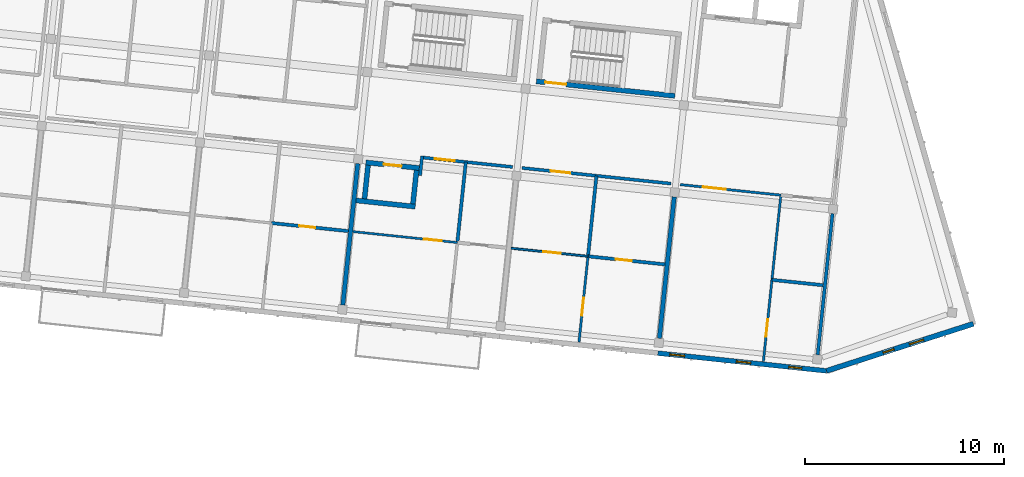
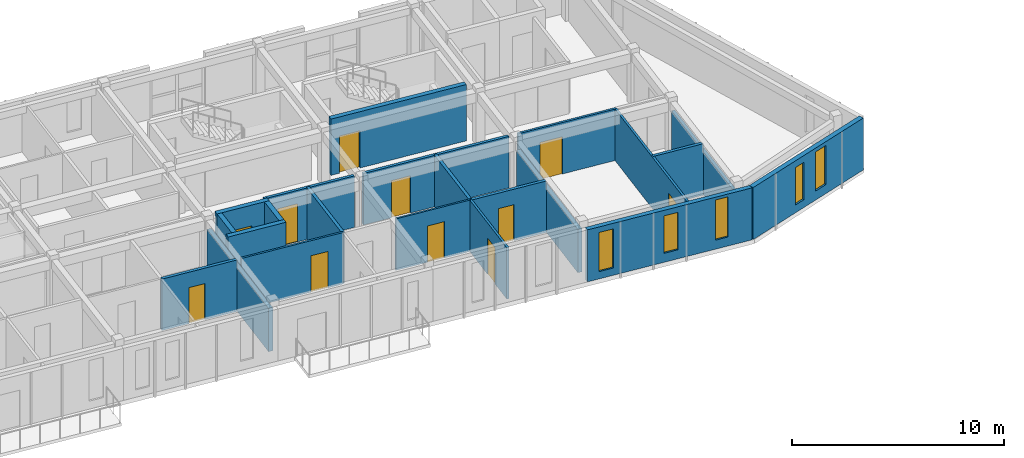
# One storey, part 26 of 45: 23 walls, 11 doors, 5 windows, 16 openings.
"""IFC4 building model written with IfcOpenShell, lengths in metres."""

from ifc_helpers import new_model, si_unit, direction, frame, frame_2d, origin, place, context, subcontext, project, spatial, rectangle, extrude, material, layer, layer_set, type_object, element, fill, save


model = new_model("IFC4")

# Units and contexts
model_context = context("Model", 3, precision=1e-05, world=origin(), true_north=direction((0.0, 1.0)))
body_context = subcontext(model_context, "Body", "Model", "MODEL_VIEW")
ifc_project = project(units=[si_unit("LENGTHUNIT", "METRE"), si_unit("AREAUNIT", "SQUARE_METRE"), si_unit("VOLUMEUNIT", "CUBIC_METRE"), si_unit("PLANEANGLEUNIT", "RADIAN"), si_unit("MASSUNIT", "GRAM", prefix="KILO")], contexts=[model_context])

# Site, building, storey
site_placement = place(None, origin())
site = spatial("IfcSite", under=ifc_project, at=site_placement, CompositionType="ELEMENT")
building_placement = place(site_placement, origin())
building = spatial("IfcBuilding", under=site, at=building_placement, Name="Kestramere Prow Commons", CompositionType="ELEMENT")
storey_placement = place(building_placement, frame((0.0, 0.0, 31.14990234375)))
storey = spatial("IfcBuildingStorey", under=building, at=storey_placement, Name="L09", CompositionType="ELEMENT", Elevation=31.14990234375)

# Wall, openings, windows
ifc_material_1 = material(Name="Weathered Zinc-Titanium Standing-Seam Cladding")
ifc_layer_1 = layer(ifc_material_1, 0.260009765625)
ifc_layer_set_1 = layer_set([ifc_layer_1], Name="Weathered Zinc-Titanium Standing-Seam Cladding")
wall_type_1 = type_object("IfcWallType", Name="EW-PROW-260", PredefinedType="SOLIDWALL", material=ifc_layer_set_1)
wall_1_placement = place(storey_placement, frame((165.587158203125, 91.57177734375, 0.0), z_axis=(0.0, 0.0, 1.0), x_axis=(-0.9522851043, -0.305209895201, 0.0)))
wall_1 = element("IfcWall", 1, at=wall_1_placement, inside=storey, type_object=wall_type_1, Name="Block B L09 PRW-S Facet Wall", PredefinedType="SOLIDWALL", context=body_context, shape_type="SweptSolid", body=[
    extrude(rectangle(XDim=7.752685546875, YDim=0.260009765625, at=frame_2d((3.87646484375, 0.0))), origin(), (0.0, 0.0, 1.0), 3.0),
])
opening_1_placement = place(wall_1_placement, frame((2.6298828125, 0.0, 0.52001953125)))
opening_1 = element("IfcOpeningElement", 2, at=opening_1_placement, cuts=wall_1, Name="Opening WN-09", PredefinedType="OPENING", context=body_context, shape_type="SweptSolid", body=[
    extrude(rectangle(XDim=0.739990234375, YDim=2.260009765625, at=frame_2d((0.3701171875, 1.1298828125))), frame((0.0, 0.14501953125, 0.0), z_axis=(0.0, -1.0, 0.0), x_axis=(1.0, 0.0, 0.0)), (0.0, 0.0, 1.0), 0.2900390625),
])
opening_2_placement = place(wall_1_placement, frame((4.1826171875, 0.0, 0.449951171875)))
opening_2 = element("IfcOpeningElement", 3, at=opening_2_placement, cuts=wall_1, Name="Opening WN-01", PredefinedType="OPENING", context=body_context, shape_type="SweptSolid", body=[
    extrude(rectangle(XDim=0.580078125, YDim=2.159912109375, at=frame_2d((0.2900390625, 1.080078125))), frame((0.0, 0.14501953125, 0.0), z_axis=(0.0, -1.0, 0.0), x_axis=(1.0, 0.0, 0.0)), (0.0, 0.0, 1.0), 0.2900390625),
])
ifc_material_2 = material(Name="Low-E Laminated Double Glazing", Category="glass")
window_type_1 = type_object("IfcWindowType", Name="WN-NAR-580A", PartitioningType="SINGLE_PANEL", PredefinedType="WINDOW", material=ifc_material_2)
window_1_placement = place(opening_2_placement, origin())
window_1 = element("IfcWindow", 4, at=window_1_placement, inside=storey, type_object=window_type_1, Name="WN-B-L09-PRW-S-1", OverallHeight=2.159912109375, OverallWidth=0.580078125, PartitioningType="SINGLE_PANEL", PredefinedType="WINDOW", context=body_context, shape_type="SweptSolid", body=[
    extrude(rectangle(XDim=0.580078125, YDim=2.159912109375, at=frame_2d((0.2900390625, 1.080078125))), frame((0.0, 0.030029296875, 0.0), z_axis=(0.0, -1.0, 0.0), x_axis=(1.0, 0.0, 0.0)), (0.0, 0.0, 1.0), 0.06005859375),
])
fill(opening_2, window_1)
window_type_2 = type_object("IfcWindowType", Name="WN-NAR-740A", PartitioningType="SINGLE_PANEL", PredefinedType="WINDOW", material=ifc_material_2)
window_2_placement = place(opening_1_placement, origin())
window_2 = element("IfcWindow", 5, at=window_2_placement, inside=storey, type_object=window_type_2, Name="WN-B-L09-PRW-S-0", OverallHeight=2.260009765625, OverallWidth=0.739990234375, PartitioningType="SINGLE_PANEL", PredefinedType="WINDOW", context=body_context, shape_type="SweptSolid", body=[
    extrude(rectangle(XDim=0.739990234375, YDim=2.260009765625, at=frame_2d((0.3701171875, 1.1298828125))), frame((0.0, 0.030029296875, 0.0), z_axis=(0.0, -1.0, 0.0), x_axis=(1.0, 0.0, 0.0)), (0.0, 0.0, 1.0), 0.06005859375),
])
fill(opening_1, window_2)

ifc_material_3 = material(Name="Fluoropolymer Standing-Seam Zinc-Aluminium Cladding", Category="aluminium")
ifc_layer_2 = layer(ifc_material_3, 0.239990234375)
ifc_layer_set_2 = layer_set([ifc_layer_2], Name="Fluoropolymer Standing-Seam Zinc-Aluminium Cladding")
wall_type_2 = type_object("IfcWallType", Name="EW-SEAM-240", PredefinedType="SOLIDWALL", material=ifc_layer_set_2)
wall_2_placement = place(storey_placement, frame((158.204345703125, 89.20556640625, 0.0), z_axis=(0.0, 0.0, 1.0), x_axis=(-0.994521760736, 0.104529744196, 0.0)))
wall_2 = element("IfcWall", 6, at=wall_2_placement, inside=storey, type_object=wall_type_2, Name="Block B L09 South Standing-Seam Wall 6", PredefinedType="SOLIDWALL", context=body_context, shape_type="SweptSolid", body=[
    extrude(rectangle(XDim=8.52490234375, YDim=0.239990234375, at=frame_2d((4.262451171875, 0.0))), origin(), (0.0, 0.0, 1.0), 3.0),
])
opening_3_placement = place(wall_2_placement, frame((1.244140625, 0.0, 0.52001953125)))
opening_3 = element("IfcOpeningElement", 7, at=opening_3_placement, cuts=wall_2, Name="Opening WN-05", PredefinedType="OPENING", context=body_context, shape_type="SweptSolid", body=[
    extrude(rectangle(XDim=0.659912109375, YDim=2.320068359375, at=frame_2d((0.330078125, 1.16015625))), frame((0.0, 0.135009765625, 0.0), z_axis=(0.0, -1.0, 0.0), x_axis=(1.0, 0.0, 0.0)), (0.0, 0.0, 1.0), 0.27001953125),
])
opening_4_placement = place(wall_2_placement, frame((3.8349609375, 0.0, 0.52001953125)))
opening_4 = element("IfcOpeningElement", 8, at=opening_4_placement, cuts=wall_2, Name="Opening WN-08", PredefinedType="OPENING", context=body_context, shape_type="SweptSolid", body=[
    extrude(rectangle(XDim=0.719970703125, YDim=2.159912109375, at=frame_2d((0.35986328125, 1.080078125))), frame((0.0, 0.135009765625, 0.0), z_axis=(0.0, -1.0, 0.0), x_axis=(1.0, 0.0, 0.0)), (0.0, 0.0, 1.0), 0.27001953125),
])
opening_5_placement = place(wall_2_placement, frame((7.175048828125, 0.0, 0.419921875)))
opening_5 = element("IfcOpeningElement", 9, at=opening_5_placement, cuts=wall_2, Name="Opening WN-09", PredefinedType="OPENING", context=body_context, shape_type="SweptSolid", body=[
    extrude(rectangle(XDim=0.739990234375, YDim=2.260009765625, at=frame_2d((0.3701171875, 1.1298828125))), frame((0.0, 0.135009765625, 0.0), z_axis=(0.0, -1.0, 0.0), x_axis=(1.0, 0.0, 0.0)), (0.0, 0.0, 1.0), 0.27001953125),
])
window_type_3 = type_object("IfcWindowType", Name="WN-NAR-660A", PartitioningType="SINGLE_PANEL", PredefinedType="WINDOW", material=ifc_material_2)
window_3_placement = place(opening_3_placement, origin())
window_3 = element("IfcWindow", 10, at=window_3_placement, inside=storey, type_object=window_type_3, Name="WN-B-L09-S-5-00", OverallHeight=2.320068359375, OverallWidth=0.659912109375, PartitioningType="SINGLE_PANEL", PredefinedType="WINDOW", context=body_context, shape_type="SweptSolid", body=[
    extrude(rectangle(XDim=0.659912109375, YDim=2.320068359375, at=frame_2d((0.330078125, 1.16015625))), frame((0.0, 0.030029296875, 0.0), z_axis=(0.0, -1.0, 0.0), x_axis=(1.0, 0.0, 0.0)), (0.0, 0.0, 1.0), 0.06005859375),
])
fill(opening_3, window_3)
window_type_4 = type_object("IfcWindowType", Name="WN-NAR-720A", PartitioningType="SINGLE_PANEL", PredefinedType="WINDOW", material=ifc_material_2)
window_4_placement = place(opening_4_placement, origin())
window_4 = element("IfcWindow", 11, at=window_4_placement, inside=storey, type_object=window_type_4, Name="WN-B-L09-S-5-10", OverallHeight=2.159912109375, OverallWidth=0.719970703125, PartitioningType="SINGLE_PANEL", PredefinedType="WINDOW", context=body_context, shape_type="SweptSolid", body=[
    extrude(rectangle(XDim=0.719970703125, YDim=2.159912109375, at=frame_2d((0.35986328125, 1.080078125))), frame((0.0, 0.030029296875, 0.0), z_axis=(0.0, -1.0, 0.0), x_axis=(1.0, 0.0, 0.0)), (0.0, 0.0, 1.0), 0.06005859375),
])
fill(opening_4, window_4)
window_5_placement = place(opening_5_placement, origin())
window_5 = element("IfcWindow", 12, at=window_5_placement, inside=storey, type_object=window_type_2, Name="WN-B-L09-S-5-11", OverallHeight=2.260009765625, OverallWidth=0.739990234375, PartitioningType="SINGLE_PANEL", PredefinedType="WINDOW", context=body_context, shape_type="SweptSolid", body=[
    extrude(rectangle(XDim=0.739990234375, YDim=2.260009765625, at=frame_2d((0.3701171875, 1.1298828125))), frame((0.0, 0.030029296875, 0.0), z_axis=(0.0, -1.0, 0.0), x_axis=(1.0, 0.0, 0.0)), (0.0, 0.0, 1.0), 0.06005859375),
])
fill(opening_5, window_5)

# Wall, opening, door
ifc_material_4 = material(Name="Concrete C40/50", Category="concrete")
ifc_layer_3 = layer(ifc_material_4, 0.25)
ifc_layer_set_3 = layer_set([ifc_layer_3], Name="Concrete C40/50")
wall_type_3 = type_object("IfcWallType", Name="W-CORE-250", PredefinedType="SHEAR", material=ifc_layer_set_3)
wall_3_placement = place(storey_placement, frame((143.62060546875, 103.759765625, 0.0), z_axis=(0.0, 0.0, 1.0), x_axis=(0.994522066748, -0.104526832686, 0.0)))
wall_3 = element("IfcWall", 13, at=wall_3_placement, inside=storey, type_object=wall_type_3, Name="ST-B2 L09 Corridor Shaft Wall", PredefinedType="SHEAR", context=body_context, shape_type="SweptSolid", body=[
    extrude(rectangle(XDim=7.0, YDim=0.25, at=frame_2d((3.5, 0.0))), origin(), (0.0, 0.0, 1.0), 3.25),
])
opening_6_placement = place(wall_3_placement, frame((0.449951171875, 0.0, 0.0)))
opening_6 = element("IfcOpeningElement", 14, at=opening_6_placement, cuts=wall_3, Name="Opening ID-01", PredefinedType="OPENING", context=body_context, shape_type="SweptSolid", body=[
    extrude(rectangle(XDim=1.050048828125, YDim=2.14990234375, at=frame_2d((0.52490234375, 1.074951171875))), frame((0.0, 0.139892578125, 0.0), z_axis=(0.0, -1.0, 0.0), x_axis=(1.0, 0.0, 0.0)), (0.0, 0.0, 1.0), 0.280029296875),
])
ifc_material_5 = material(Name="Fire-Rated Timber and Steel Frame", Category="steel")
door_type_1 = type_object("IfcDoorType", Name="FD-ST-01", OperationType="NOTDEFINED", PredefinedType="DOOR", material=ifc_material_5)
door_1_placement = place(opening_6_placement, origin())
door_1 = element("IfcDoor", 15, at=door_1_placement, inside=storey, type_object=door_type_1, Name="ST-B2 L09 Protected Stair Door", OperationType="SINGLE_SWING_RIGHT", OverallHeight=2.14990234375, OverallWidth=1.050048828125, PredefinedType="DOOR", context=body_context, shape_type="SweptSolid", body=[
    extrude(rectangle(XDim=1.050048828125, YDim=2.14990234375, at=frame_2d((0.52490234375, 1.074951171875))), frame((0.0, 0.02490234375, 0.0), z_axis=(0.0, -1.0, 0.0), x_axis=(1.0, 0.0, 0.0)), (0.0, 0.0, 1.0), 0.050048828125),
])
fill(opening_6, door_1)

# Wall
ifc_material_6 = material(Name="Fire-Rated Calcium Silicate Wall")
ifc_layer_4 = layer(ifc_material_6, 0.155029296875)
ifc_layer_set_4 = layer_set([ifc_layer_4], Name="Fire-Rated Calcium Silicate Wall")
wall_type_4 = type_object("IfcWallType", Name="W-FIRE-150", PredefinedType="PARTITIONING", material=ifc_layer_set_4)
wall_4_placement = place(storey_placement, frame((137.773193359375, 99.02001953125, 0.0), z_axis=(0.0, 0.0, 1.0), x_axis=(0.104531505358, 0.994521575627, 0.0)))
element("IfcWall", 16, at=wall_4_placement, inside=storey, type_object=wall_type_4, Name="Interior Partition PW-B-L09-HS-CLOSER", PredefinedType="PARTITIONING", context=body_context, shape_type="SweptSolid", body=[
    extrude(rectangle(XDim=0.994873046875, YDim=0.155029296875, at=frame_2d((0.49755859375, 0.0))), origin(), (0.0, 0.0, 1.0), 2.97021484375),
])

# Wall, opening, door
wall_5_placement = place(storey_placement, frame((137.948974609375, 99.926513671875, 0.0), z_axis=(0.0, 0.0, 1.0), x_axis=(0.994526220308, -0.104487306019, 0.0)))
wall_5 = element("IfcWall", 17, at=wall_5_placement, inside=storey, type_object=wall_type_4, Name="Interior Partition PW-B-L09-CS-3", PredefinedType="PARTITIONING", context=body_context, shape_type="SweptSolid", body=[
    extrude(rectangle(XDim=4.5048828125, YDim=0.155029296875, at=frame_2d((2.25244140625, 0.0))), origin(), (0.0, 0.0, 1.0), 2.97021484375),
])
opening_7_placement = place(wall_5_placement, frame((0.556884765625, 0.0, 0.0)))
opening_7 = element("IfcOpeningElement", 18, at=opening_7_placement, cuts=wall_5, Name="Opening ID-05", PredefinedType="OPENING", context=body_context, shape_type="SweptSolid", body=[
    extrude(rectangle(XDim=1.02001953125, YDim=2.199951171875, at=frame_2d((0.510009765625, 1.10009765625))), frame((0.0, 0.092529296875, 0.0), z_axis=(0.0, -1.0, 0.0), x_axis=(1.0, 0.0, 0.0)), (0.0, 0.0, 1.0), 0.18505859375),
])
ifc_material_7 = material(Name="Hardwood Fire-Rated Flat Entrance Door", Category="wood")
door_type_2 = type_object("IfcDoorType", Name="FD-ENT-02", OperationType="NOTDEFINED", PredefinedType="DOOR", material=ifc_material_7)
door_2_placement = place(opening_7_placement, origin())
door_2 = element("IfcDoor", 19, at=door_2_placement, inside=storey, type_object=door_type_2, Name="Interior Door DR-B-L09-ENT-S3", OperationType="SINGLE_SWING_LEFT", OverallHeight=2.199951171875, OverallWidth=1.02001953125, PredefinedType="DOOR", context=body_context, shape_type="SweptSolid", body=[
    extrude(rectangle(XDim=1.02001953125, YDim=2.199951171875, at=frame_2d((0.510009765625, 1.10009765625))), frame((0.0, 0.02490234375, 0.0), z_axis=(0.0, -1.0, 0.0), x_axis=(1.0, 0.0, 0.0)), (0.0, 0.0, 1.0), 0.050048828125),
])
fill(opening_7, door_2)

wall_6_placement = place(storey_placement, frame((142.896728515625, 99.406494140625, 0.0), z_axis=(0.0, 0.0, 1.0), x_axis=(0.994521785195, -0.104529511491, 0.0)))
wall_6 = element("IfcWall", 20, at=wall_6_placement, inside=storey, type_object=wall_type_4, Name="Interior Partition PW-B-L09-CS-4", PredefinedType="PARTITIONING", context=body_context, shape_type="SweptSolid", body=[
    extrude(rectangle(XDim=7.530029296875, YDim=0.155029296875, at=frame_2d((3.76513671875, 0.0))), origin(), (0.0, 0.0, 1.0), 2.97021484375),
])
opening_8_placement = place(wall_6_placement, frame((1.455078125, 0.0, 0.0)))
opening_8 = element("IfcOpeningElement", 21, at=opening_8_placement, cuts=wall_6, Name="Opening ID-04", PredefinedType="OPENING", context=body_context, shape_type="SweptSolid", body=[
    extrude(rectangle(XDim=0.97998046875, YDim=2.14990234375, at=frame_2d((0.489990234375, 1.074951171875))), frame((0.0, 0.092529296875, 0.0), z_axis=(0.0, -1.0, 0.0), x_axis=(1.0, 0.0, 0.0)), (0.0, 0.0, 1.0), 0.18505859375),
])
door_type_3 = type_object("IfcDoorType", Name="FD-ENT-01", OperationType="NOTDEFINED", PredefinedType="DOOR", material=ifc_material_7)
door_3_placement = place(opening_8_placement, origin())
door_3 = element("IfcDoor", 22, at=door_3_placement, inside=storey, type_object=door_type_3, Name="Interior Door DR-B-L09-ENT-S4", OperationType="SINGLE_SWING_RIGHT", OverallHeight=2.14990234375, OverallWidth=0.97998046875, PredefinedType="DOOR", context=body_context, shape_type="SweptSolid", body=[
    extrude(rectangle(XDim=0.97998046875, YDim=2.14990234375, at=frame_2d((0.489990234375, 1.074951171875))), frame((0.0, 0.02490234375, 0.0), z_axis=(0.0, -1.0, 0.0), x_axis=(1.0, 0.0, 0.0)), (0.0, 0.0, 1.0), 0.050048828125),
])
fill(opening_8, door_3)

# Wall
ifc_layer_5 = layer(ifc_material_4, 0.25)
ifc_layer_set_5 = layer_set([ifc_layer_5], Name="Concrete C40/50")
wall_type_5 = type_object("IfcWallType", Name="W-HS-250", PredefinedType="SHEAR", material=ifc_layer_set_5)
wall_7_placement = place(storey_placement, frame((134.555419921875, 97.774658203125, 0.0), z_axis=(0.0, 0.0, 1.0), x_axis=(0.994514844427, -0.104595526741, 0.0)))
element("IfcWall", 23, at=wall_7_placement, inside=storey, type_object=wall_type_5, Name="Block B L09 Household Shelter South Wall", PredefinedType="SHEAR", context=body_context, shape_type="SweptSolid", body=[
    extrude(rectangle(XDim=2.989990234375, YDim=0.25, at=frame_2d((1.4951171875, 0.0))), origin(), (0.0, 0.0, 1.0), 3.25),
])

# Wall, opening, door
wall_8_placement = place(storey_placement, frame((135.047607421875, 99.68359375, 0.0), z_axis=(0.0, 0.0, 1.0), x_axis=(0.994522285292, -0.104524753323, 0.0)))
wall_8 = element("IfcWall", 24, at=wall_8_placement, inside=storey, type_object=wall_type_5, Name="Block B L09 Household Shelter North Wall", PredefinedType="SHEAR", context=body_context, shape_type="SweptSolid", body=[
    extrude(rectangle(XDim=2.7001953125, YDim=0.25, at=frame_2d((1.35009765625, 0.0))), origin(), (0.0, 0.0, 1.0), 3.25),
])
opening_9_placement = place(wall_8_placement, frame((0.89990234375, 0.0, 0.0)))
opening_9 = element("IfcOpeningElement", 25, at=opening_9_placement, cuts=wall_8, Name="Opening ID-06", PredefinedType="OPENING", context=body_context, shape_type="SweptSolid", body=[
    extrude(rectangle(XDim=0.89990234375, YDim=2.050048828125, at=frame_2d((0.449951171875, 1.02490234375))), frame((0.0, 0.139892578125, 0.0), z_axis=(0.0, -1.0, 0.0), x_axis=(1.0, 0.0, 0.0)), (0.0, 0.0, 1.0), 0.280029296875),
])
ifc_material_8 = material(Name="Galvanised Steel S275JR Household Shelter Door", Category="steel")
door_type_4 = type_object("IfcDoorType", Name="FD-HS-01", OperationType="NOTDEFINED", PredefinedType="DOOR", material=ifc_material_8)
door_4_placement = place(opening_9_placement, origin())
door_4 = element("IfcDoor", 26, at=door_4_placement, inside=storey, type_object=door_type_4, Name="Block B L09 Household Shelter Blast Door", OperationType="SINGLE_SWING_LEFT", OverallHeight=2.050048828125, OverallWidth=0.89990234375, PredefinedType="DOOR", context=body_context, shape_type="SweptSolid", body=[
    extrude(rectangle(XDim=0.89990234375, YDim=2.050048828125, at=frame_2d((0.449951171875, 1.02490234375))), frame((0.0, 0.02490234375, 0.0), z_axis=(0.0, -1.0, 0.0), x_axis=(1.0, 0.0, 0.0)), (0.0, 0.0, 1.0), 0.050048828125),
])
fill(opening_9, door_4)

# Walls
for number, where, z_axis, x_axis, name in (
    (27, (134.981201171875, 97.85546875, 0.0), (0.0, 0.0, 1.0), (0.104550220202, 0.994519608382, 0.0), "Block B L09 Household Shelter W Wall"),
    (28, (137.417724609375, 97.599365234375, 0.0), (0.0, 0.0, 1.0), (0.104550220202, 0.994519608382, 0.0), "Block B L09 Household Shelter E Wall"),
):
    element("IfcWall", number, at=place(storey_placement, frame(where, z_axis=z_axis, x_axis=x_axis)), inside=storey, type_object=wall_type_5, Name=name, PredefinedType="SHEAR", context=body_context, shape_type="SweptSolid", body=[
        extrude(rectangle(XDim=1.699951171875, YDim=0.25, at=frame_2d((0.85009765625, 0.0))), origin(), (0.0, 0.0, 1.0), 3.25),
    ])

# Wall, opening, door
ifc_material_9 = material(Name="Gypsum Acoustic Drywall")
ifc_layer_6 = layer(ifc_material_9, 0.10009765625)
ifc_layer_set_6 = layer_set([ifc_layer_6], Name="Gypsum Acoustic Drywall")
wall_type_6 = type_object("IfcWallType", Name="W-PART-100", PredefinedType="PARTITIONING", material=ifc_layer_set_6)
wall_9_placement = place(storey_placement, frame((142.35205078125, 95.371337890625, 0.0), z_axis=(0.0, 0.0, 1.0), x_axis=(0.994523688713, -0.104511399326, 0.0)))
wall_9 = element("IfcWall", 29, at=wall_9_placement, inside=storey, type_object=wall_type_6, Name="Interior Partition PW-B-L09-MIDS1-4", PredefinedType="PARTITIONING", context=body_context, shape_type="SweptSolid", body=[
    extrude(rectangle(XDim=3.884765625, YDim=0.10009765625, at=frame_2d((1.9423828125, 0.0))), origin(), (0.0, 0.0, 1.0), 2.97021484375),
])
opening_10_placement = place(wall_9_placement, frame((1.625, 0.0, 0.0)))
opening_10 = element("IfcOpeningElement", 30, at=opening_10_placement, cuts=wall_9, Name="Opening ID-10", PredefinedType="OPENING", context=body_context, shape_type="SweptSolid", body=[
    extrude(rectangle(XDim=0.8798828125, YDim=2.10009765625, at=frame_2d((0.43994140625, 1.050048828125))), frame((0.0, 0.06494140625, 0.0), z_axis=(0.0, -1.0, 0.0), x_axis=(1.0, 0.0, 0.0)), (0.0, 0.0, 1.0), 0.130126953125),
])
ifc_material_10 = material(Name="Engineered Timber Bedroom Door", Category="wood")
door_type_5 = type_object("IfcDoorType", Name="D-RM-03", OperationType="NOTDEFINED", PredefinedType="DOOR", material=ifc_material_10)
door_5_placement = place(opening_10_placement, origin())
door_5 = element("IfcDoor", 31, at=door_5_placement, inside=storey, type_object=door_type_5, Name="Interior Door DR-B-L09-KL-S4", OperationType="SINGLE_SWING_RIGHT", OverallHeight=2.10009765625, OverallWidth=0.8798828125, PredefinedType="DOOR", context=body_context, shape_type="SweptSolid", body=[
    extrude(rectangle(XDim=0.8798828125, YDim=2.10009765625, at=frame_2d((0.43994140625, 1.050048828125))), frame((0.0, 0.02490234375, 0.0), z_axis=(0.0, -1.0, 0.0), x_axis=(1.0, 0.0, 0.0)), (0.0, 0.0, 1.0), 0.050048828125),
])
fill(opening_10, door_5)

ifc_layer_7 = layer(ifc_material_9, 0.110107421875)
ifc_layer_set_7 = layer_set([ifc_layer_7], Name="Gypsum Acoustic Drywall")
wall_type_7 = type_object("IfcWallType", Name="W-PART-110", PredefinedType="PARTITIONING", material=ifc_layer_set_7)
wall_10_placement = place(storey_placement, frame((134.395751953125, 96.207763671875, 0.0), z_axis=(0.0, 0.0, 1.0), x_axis=(0.994520390767, -0.104542777606, 0.0)))
wall_10 = element("IfcWall", 32, at=wall_10_placement, inside=storey, type_object=wall_type_7, Name="Interior Partition PW-B-L09-MIDS1-3", PredefinedType="PARTITIONING", context=body_context, shape_type="SweptSolid", body=[
    extrude(rectangle(XDim=5.2802734375, YDim=0.110107421875, at=frame_2d((2.64013671875, 0.0))), origin(), (0.0, 0.0, 1.0), 2.97021484375),
])
opening_11_placement = place(wall_10_placement, frame((3.594970703125, 0.0, 0.0)))
opening_11 = element("IfcOpeningElement", 33, at=opening_11_placement, cuts=wall_10, Name="Opening ID-08", PredefinedType="OPENING", context=body_context, shape_type="SweptSolid", body=[
    extrude(rectangle(XDim=0.89990234375, YDim=2.10009765625, at=frame_2d((0.449951171875, 1.050048828125))), frame((0.0, 0.070068359375, 0.0), z_axis=(0.0, -1.0, 0.0), x_axis=(1.0, 0.0, 0.0)), (0.0, 0.0, 1.0), 0.14013671875),
])
ifc_material_11 = material(Name="Engineered Timber Flush Door", Category="wood")
door_type_6 = type_object("IfcDoorType", Name="D-RM-01", OperationType="NOTDEFINED", PredefinedType="DOOR", material=ifc_material_11)
door_6_placement = place(opening_11_placement, origin())
door_6 = element("IfcDoor", 34, at=door_6_placement, inside=storey, type_object=door_type_6, Name="Interior Door DR-B-L09-KL-S3", OperationType="SINGLE_SWING_RIGHT", OverallHeight=2.10009765625, OverallWidth=0.89990234375, PredefinedType="DOOR", context=body_context, shape_type="SweptSolid", body=[
    extrude(rectangle(XDim=0.89990234375, YDim=2.10009765625, at=frame_2d((0.449951171875, 1.050048828125))), frame((0.0, 0.02490234375, 0.0), z_axis=(0.0, -1.0, 0.0), x_axis=(1.0, 0.0, 0.0)), (0.0, 0.0, 1.0), 0.050048828125),
])
fill(opening_11, door_6)

ifc_material_12 = material(Name="Lightweight Blockwork and Plaster", Category="masonry")
ifc_layer_8 = layer(ifc_material_12, 0.1201171875)
ifc_layer_set_8 = layer_set([ifc_layer_8], Name="Lightweight Blockwork and Plaster")
wall_type_8 = type_object("IfcWallType", Name="W-PART-120", PredefinedType="PARTITIONING", material=ifc_layer_set_8)
wall_11_placement = place(storey_placement, frame((145.761962890625, 90.649169921875, 0.0), z_axis=(0.0, 0.0, 1.0), x_axis=(0.104520797474, 0.994522701046, 0.0)))
wall_11 = element("IfcWall", 35, at=wall_11_placement, inside=storey, type_object=wall_type_8, Name="Interior Partition PW-B-L09-LB-S4", PredefinedType="PARTITIONING", context=body_context, shape_type="SweptSolid", body=[
    extrude(rectangle(XDim=4.33984375, YDim=0.1201171875, at=frame_2d((2.169921875, 0.0))), origin(), (0.0, 0.0, 1.0), 2.97021484375),
])
opening_12_placement = place(wall_11_placement, frame((1.35009765625, 0.0, 0.0)))
opening_12 = element("IfcOpeningElement", 36, at=opening_12_placement, cuts=wall_11, Name="Opening ID-08", PredefinedType="OPENING", context=body_context, shape_type="SweptSolid", body=[
    extrude(rectangle(XDim=0.89990234375, YDim=2.10009765625, at=frame_2d((0.449951171875, 1.050048828125))), frame((0.0, 0.074951171875, 0.0), z_axis=(0.0, -1.0, 0.0), x_axis=(1.0, 0.0, 0.0)), (0.0, 0.0, 1.0), 0.150146484375),
])
door_7_placement = place(opening_12_placement, origin())
door_7 = element("IfcDoor", 37, at=door_7_placement, inside=storey, type_object=door_type_6, Name="Interior Door DR-B-L09-BED-S4", OperationType="SINGLE_SWING_LEFT", OverallHeight=2.10009765625, OverallWidth=0.89990234375, PredefinedType="DOOR", context=body_context, shape_type="SweptSolid", body=[
    extrude(rectangle(XDim=0.89990234375, YDim=2.10009765625, at=frame_2d((0.449951171875, 1.050048828125))), frame((0.0, 0.02490234375, 0.0), z_axis=(0.0, -1.0, 0.0), x_axis=(1.0, 0.0, 0.0)), (0.0, 0.0, 1.0), 0.050048828125),
])
fill(opening_12, door_7)

wall_12_placement = place(storey_placement, frame((150.85302734375, 98.5703125, 0.0), z_axis=(0.0, 0.0, 1.0), x_axis=(0.994522539851, -0.104522331238, 0.0)))
wall_12 = element("IfcWall", 38, at=wall_12_placement, inside=storey, type_object=wall_type_8, Name="Interior Partition PW-B-L09-CS-5A", PredefinedType="PARTITIONING", context=body_context, shape_type="SweptSolid", body=[
    extrude(rectangle(XDim=5.0849609375, YDim=0.1201171875, at=frame_2d((2.54248046875, 0.0))), origin(), (0.0, 0.0, 1.0), 2.97021484375),
])
opening_13_placement = place(wall_12_placement, frame((1.14990234375, 0.0, 0.0)))
opening_13 = element("IfcOpeningElement", 39, at=opening_13_placement, cuts=wall_12, Name="Opening ID-09", PredefinedType="OPENING", context=body_context, shape_type="SweptSolid", body=[
    extrude(rectangle(XDim=1.14990234375, YDim=2.14990234375, at=frame_2d((0.574951171875, 1.074951171875))), frame((0.0, 0.074951171875, 0.0), z_axis=(0.0, -1.0, 0.0), x_axis=(1.0, 0.0, 0.0)), (0.0, 0.0, 1.0), 0.150146484375),
])
ifc_material_13 = material(Name="Engineered Timber Acoustic Door", Category="wood")
door_type_7 = type_object("IfcDoorType", Name="D-RM-02", OperationType="NOTDEFINED", PredefinedType="DOOR", material=ifc_material_13)
door_8_placement = place(opening_13_placement, origin())
door_8 = element("IfcDoor", 40, at=door_8_placement, inside=storey, type_object=door_type_7, Name="Interior Door DR-B-L09-SKY-5", OperationType="SINGLE_SWING_LEFT", OverallHeight=2.14990234375, OverallWidth=1.14990234375, PredefinedType="DOOR", context=body_context, shape_type="SweptSolid", body=[
    extrude(rectangle(XDim=1.14990234375, YDim=2.14990234375, at=frame_2d((0.574951171875, 1.074951171875))), frame((0.0, 0.02490234375, 0.0), z_axis=(0.0, -1.0, 0.0), x_axis=(1.0, 0.0, 0.0)), (0.0, 0.0, 1.0), 0.050048828125),
])
fill(opening_13, door_8)

wall_13_placement = place(storey_placement, frame((155.031005859375, 89.6748046875, 0.0), z_axis=(0.0, 0.0, 1.0), x_axis=(0.10453518206, 0.994521189172, 0.0)))
wall_13 = element("IfcWall", 41, at=wall_13_placement, inside=storey, type_object=wall_type_8, Name="Interior Partition PW-B-L09-SKDV-5", PredefinedType="PARTITIONING", context=body_context, shape_type="SweptSolid", body=[
    extrude(rectangle(XDim=8.41015625, YDim=0.1201171875, at=frame_2d((4.205078125, 0.0))), origin(), (0.0, 0.0, 1.0), 2.97021484375),
])
opening_14_placement = place(wall_13_placement, frame((1.25, 0.0, 0.0)))
opening_14 = element("IfcOpeningElement", 42, at=opening_14_placement, cuts=wall_13, Name="Opening ID-10", PredefinedType="OPENING", context=body_context, shape_type="SweptSolid", body=[
    extrude(rectangle(XDim=0.8798828125, YDim=2.10009765625, at=frame_2d((0.43994140625, 1.050048828125))), frame((0.0, 0.074951171875, 0.0), z_axis=(0.0, -1.0, 0.0), x_axis=(1.0, 0.0, 0.0)), (0.0, 0.0, 1.0), 0.150146484375),
])
door_9_placement = place(opening_14_placement, origin())
door_9 = element("IfcDoor", 43, at=door_9_placement, inside=storey, type_object=door_type_5, Name="Interior Door DR-B-L09-SKAL-5", OperationType="SINGLE_SWING_LEFT", OverallHeight=2.10009765625, OverallWidth=0.8798828125, PredefinedType="DOOR", context=body_context, shape_type="SweptSolid", body=[
    extrude(rectangle(XDim=0.8798828125, YDim=2.10009765625, at=frame_2d((0.43994140625, 1.050048828125))), frame((0.0, 0.02490234375, 0.0), z_axis=(0.0, -1.0, 0.0), x_axis=(1.0, 0.0, 0.0)), (0.0, 0.0, 1.0), 0.050048828125),
])
fill(opening_14, door_9)

# Wall
ifc_material_14 = material(Name="Waterproof Sanitary Masonry Wall", Category="masonry")
ifc_layer_9 = layer(ifc_material_14, 0.1650390625)
ifc_layer_set_9 = layer_set([ifc_layer_9], Name="Waterproof Sanitary Masonry Wall")
wall_type_9 = type_object("IfcWallType", Name="W-PLUMB-150", PredefinedType="PLUMBINGWALL", material=ifc_layer_set_9)
wall_14_placement = place(storey_placement, frame((157.76171875, 90.016357421875, 0.0), z_axis=(0.0, 0.0, 1.0), x_axis=(0.10450653689, 0.994524199679, 0.0)))
element("IfcWall", 44, at=wall_14_placement, inside=storey, type_object=wall_type_9, Name="Interior Partition PW-B-L09-PRWE-S", PredefinedType="PLUMBINGWALL", context=body_context, shape_type="SweptSolid", body=[
    extrude(rectangle(XDim=7.1298828125, YDim=0.1650390625, at=frame_2d((3.56494140625, 0.0))), origin(), (0.0, 0.0, 1.0), 2.5),
])

# Wall, opening, door
wall_15_placement = place(storey_placement, frame((130.30322265625, 96.6376953125, 0.0), z_axis=(0.0, 0.0, 1.0), x_axis=(0.994524375082, -0.104504867671, 0.0)))
wall_15 = element("IfcWall", 45, at=wall_15_placement, inside=storey, type_object=wall_type_9, Name="Interior Partition PW-B-L09-MIDS2-2", PredefinedType="PLUMBINGWALL", context=body_context, shape_type="SweptSolid", body=[
    extrude(rectangle(XDim=3.885009765625, YDim=0.1650390625, at=frame_2d((1.9423828125, 0.0))), origin(), (0.0, 0.0, 1.0), 2.97021484375),
])
opening_15_placement = place(wall_15_placement, frame((1.39990234375, 0.0, 0.0)))
opening_15 = element("IfcOpeningElement", 46, at=opening_15_placement, cuts=wall_15, Name="Opening ID-11", PredefinedType="OPENING", context=body_context, shape_type="SweptSolid", body=[
    extrude(rectangle(XDim=0.820068359375, YDim=2.080078125, at=frame_2d((0.41015625, 1.0400390625))), frame((0.0, 0.097412109375, 0.0), z_axis=(0.0, -1.0, 0.0), x_axis=(1.0, 0.0, 0.0)), (0.0, 0.0, 1.0), 0.195068359375),
])
ifc_material_15 = material(Name="Moisture-Resistant Timber Bathroom Door", Category="wood")
door_type_8 = type_object("IfcDoorType", Name="D-BT-01", OperationType="NOTDEFINED", PredefinedType="DOOR", material=ifc_material_15)
door_10_placement = place(opening_15_placement, origin())
door_10 = element("IfcDoor", 47, at=door_10_placement, inside=storey, type_object=door_type_8, Name="Interior Door DR-B-L09-BTH-S2", OperationType="SINGLE_SWING_LEFT", OverallHeight=2.080078125, OverallWidth=0.820068359375, PredefinedType="DOOR", context=body_context, shape_type="SweptSolid", body=[
    extrude(rectangle(XDim=0.820068359375, YDim=2.080078125, at=frame_2d((0.41015625, 1.0400390625))), frame((0.0, 0.02490234375, 0.0), z_axis=(0.0, -1.0, 0.0), x_axis=(1.0, 0.0, 0.0)), (0.0, 0.0, 1.0), 0.050048828125),
])
fill(opening_15, door_10)

# Wall
wall_16_placement = place(storey_placement, frame((139.64697265625, 95.65576171875, 0.0), z_axis=(0.0, 0.0, 1.0), x_axis=(0.104497425874, 0.99452515704, 0.0)))
element("IfcWall", 48, at=wall_16_placement, inside=storey, type_object=wall_type_9, Name="Interior Partition PW-B-L09-KB-S3", PredefinedType="PLUMBINGWALL", context=body_context, shape_type="SweptSolid", body=[
    extrude(rectangle(XDim=4.06982421875, YDim=0.1650390625, at=frame_2d((2.034912109375, 0.0))), origin(), (0.0, 0.0, 1.0), 2.97021484375),
])

# Wall, opening, door
wall_17_placement = place(storey_placement, frame((146.215576171875, 94.96533203125, 0.0), z_axis=(0.0, 0.0, 1.0), x_axis=(0.994524375082, -0.104504867671, 0.0)))
wall_17 = element("IfcWall", 49, at=wall_17_placement, inside=storey, type_object=wall_type_9, Name="Interior Partition PW-B-L09-MIDS2-4", PredefinedType="PLUMBINGWALL", context=body_context, shape_type="SweptSolid", body=[
    extrude(rectangle(XDim=3.885009765625, YDim=0.1650390625, at=frame_2d((1.9423828125, 0.0))), origin(), (0.0, 0.0, 1.0), 2.97021484375),
])
opening_16_placement = place(wall_17_placement, frame((1.39990234375, 0.0, 0.0)))
opening_16 = element("IfcOpeningElement", 50, at=opening_16_placement, cuts=wall_17, Name="Opening ID-11", PredefinedType="OPENING", context=body_context, shape_type="SweptSolid", body=[
    extrude(rectangle(XDim=0.820068359375, YDim=2.080078125, at=frame_2d((0.41015625, 1.0400390625))), frame((0.0, 0.097412109375, 0.0), z_axis=(0.0, -1.0, 0.0), x_axis=(1.0, 0.0, 0.0)), (0.0, 0.0, 1.0), 0.195068359375),
])
door_11_placement = place(opening_16_placement, origin())
door_11 = element("IfcDoor", 51, at=door_11_placement, inside=storey, type_object=door_type_8, Name="Interior Door DR-B-L09-BTH-S4", OperationType="SINGLE_SWING_LEFT", OverallHeight=2.080078125, OverallWidth=0.820068359375, PredefinedType="DOOR", context=body_context, shape_type="SweptSolid", body=[
    extrude(rectangle(XDim=0.820068359375, YDim=2.080078125, at=frame_2d((0.41015625, 1.0400390625))), frame((0.0, 0.02490234375, 0.0), z_axis=(0.0, -1.0, 0.0), x_axis=(1.0, 0.0, 0.0)), (0.0, 0.0, 1.0), 0.050048828125),
])
fill(opening_16, door_11)

# Walls
wall_18_placement = place(storey_placement, frame((146.215576171875, 94.96533203125, 0.0), z_axis=(0.0, 0.0, 1.0), x_axis=(0.104556757316, 0.994518921137, 0.0)))
element("IfcWall", 52, at=wall_18_placement, inside=storey, type_object=wall_type_9, Name="Interior Partition PW-B-L09-KB-S4", PredefinedType="PLUMBINGWALL", context=body_context, shape_type="SweptSolid", body=[
    extrude(rectangle(XDim=4.06982421875, YDim=0.1650390625, at=frame_2d((2.034912109375, 0.0))), origin(), (0.0, 0.0, 1.0), 2.97021484375),
])
wall_19_placement = place(storey_placement, frame((155.462646484375, 93.7822265625, 0.0), z_axis=(0.0, 0.0, 1.0), x_axis=(0.994521452323, -0.104532678478, 0.0)))
element("IfcWall", 53, at=wall_19_placement, inside=storey, type_object=wall_type_9, Name="Interior Partition PW-B-L09-SKHZ-5", PredefinedType="PLUMBINGWALL", context=body_context, shape_type="SweptSolid", body=[
    extrude(rectangle(XDim=2.590087890625, YDim=0.1650390625, at=frame_2d((1.294921875, 0.0))), origin(), (0.0, 0.0, 1.0), 2.97021484375),
])
ifc_material_16 = material(Name="Precast concrete C40/50", Category="concrete")
ifc_layer_10 = layer(ifc_material_16, 0.219970703125)
ifc_layer_set_10 = layer_set([ifc_layer_10], Name="Precast concrete C40/50")
wall_type_10 = type_object("IfcWallType", Name="W-XWALL-220", PredefinedType="SHEAR", material=ifc_layer_set_10)
for number, where, z_axis, x_axis, name in (
    (54, (133.89208984375, 92.51513671875, 0.0), (0.0, 0.0, 1.0), (0.104519481265, 0.994522839374, 0.0), "Block B L09 Precast Cross-Wall 3"),
    (55, (149.804443359375, 90.842529296875, 0.0), (0.0, 0.0, 1.0), (0.104519481265, 0.994522839374, 0.0), "Block B L09 Precast Cross-Wall 5"),
):
    element("IfcWall", number, at=place(storey_placement, frame(where, z_axis=z_axis, x_axis=x_axis)), inside=storey, type_object=wall_type_10, Name=name, PredefinedType="SHEAR", context=body_context, shape_type="SweptSolid", body=[
        extrude(rectangle(XDim=7.14990234375, YDim=0.219970703125, at=frame_2d((3.574951171875, 0.0))), origin(), (0.0, 0.0, 1.0), 2.5),
    ])

save(model, "model.ifc")
